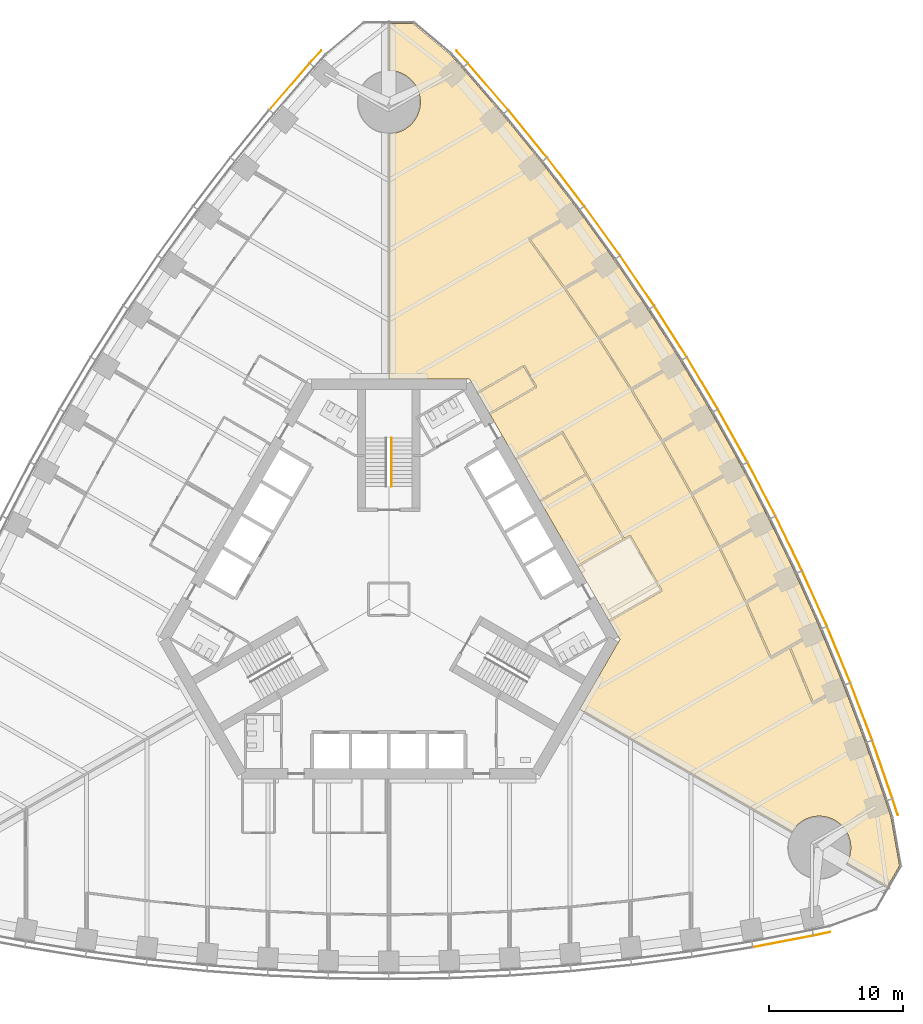
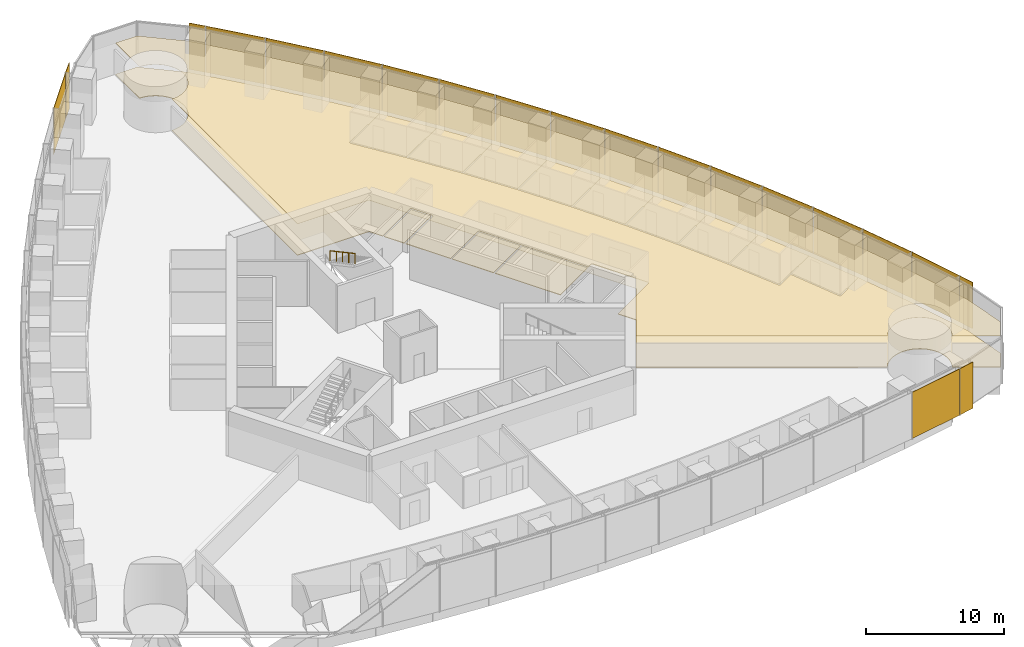
# One storey, part 17 of 19: 20 shading devices, 14 coverings, 1 railing.
"""IFC4 building model written with IfcOpenShell, lengths in metres."""

from ifc_helpers import new_model, si_unit, direction, frame, origin, origin_2d, place, context, subcontext, project, spatial, polyline, rectangle, circle, outline, extrude, material, layer, layer_set, type_object, element, save


model = new_model("IFC4")

# Units and contexts
model_context = context("Model", 3, precision=1e-05, world=origin(), true_north=direction((0.0, 1.0)))
body_context = subcontext(model_context, "Body", "Model", "MODEL_VIEW")
ifc_project = project(units=[si_unit("LENGTHUNIT", "METRE"), si_unit("AREAUNIT", "SQUARE_METRE"), si_unit("VOLUMEUNIT", "CUBIC_METRE"), si_unit("PLANEANGLEUNIT", "RADIAN"), si_unit("MASSUNIT", "GRAM", prefix="KILO")], contexts=[model_context])

# Site, building, storey
site_placement = place(None, origin())
site = spatial("IfcSite", under=ifc_project, at=site_placement, CompositionType="ELEMENT")
building_placement = place(site_placement, origin())
building = spatial("IfcBuilding", under=site, at=building_placement, Name="Trefoil Bronze Tower", CompositionType="ELEMENT")
storey_placement = place(building_placement, frame((0.0, 0.0, 16.5)))
storey = spatial("IfcBuildingStorey", under=building, at=storey_placement, Name="L03", CompositionType="ELEMENT", Elevation=16.5)

# Shading devices
ifc_material_1 = material(Name="Perforated bronze sheet", Category="bronze")
ifc_layer_1 = layer(ifc_material_1, 0.0400390625)
ifc_layer_set_1 = layer_set([ifc_layer_1], Name="Bronze solar screen panel")
shading_device_type = type_object("IfcShadingDeviceType", Name="Bronze solar screen panel", PredefinedType="SHUTTER", material=ifc_layer_set_1)
shading_device_1_placement = place(storey_placement, frame((29.351806640625, -25.478515625, 0.050048828125), z_axis=(0.0, 0.0, 1.0), x_axis=(0.982049823817, 0.188621694249, 0.0)))
element("IfcShadingDevice", 1, at=shading_device_1_placement, inside=storey, type_object=shading_device_type, Name="Solar screen CW-A L03 F1 bay 15", PredefinedType="SHUTTER", context=body_context, shape_type="SweptSolid", body=[
    extrude(rectangle(XDim=4.55224609375, YDim=0.0400390625, at=origin_2d()), origin(), (0.0, 0.0, 1.0), 4.10009765625),
])
for number, where, z_axis, x_axis, name in (
    (2, (32.2431640625, -24.91064453125, 0.050048828125), (0.0, 0.0, 1.0), (0.978302717041, 0.207180582657, 0.0), "Solar screen CW-A L03 F1 bay 16"),
    (3, (37.69482421875, -15.468017578125, 0.050048828125), (0.0, 0.0, 1.0), (-0.309727710769, 0.950825296877, 0.0), "Solar screen CW-A L03 F2 bay 1"),
):
    element("IfcShadingDevice", number, at=place(storey_placement, frame(where, z_axis=z_axis, x_axis=x_axis)), inside=storey, type_object=shading_device_type, Name=name, PredefinedType="SHUTTER", context=body_context, shape_type="SweptSolid", body=[
        extrude(rectangle(XDim=1.260498046875, YDim=0.0400390625, at=origin_2d()), origin(), (0.0, 0.0, 1.0), 4.10009765625),
    ])
shading_device_2_placement = place(storey_placement, frame((36.740966796875, -12.68017578125, 0.050048828125), z_axis=(0.0, 0.0, 1.0), x_axis=(-0.327673732984, 0.944790942332, 0.0)))
element("IfcShadingDevice", 4, at=shading_device_2_placement, inside=storey, type_object=shading_device_type, Name="Solar screen CW-A L03 F2 bay 2", PredefinedType="SHUTTER", context=body_context, shape_type="SweptSolid", body=[
    extrude(rectangle(XDim=4.55224609375, YDim=0.0400390625, at=origin_2d()), origin(), (0.0, 0.0, 1.0), 4.10009765625),
])
shading_device_3_placement = place(storey_placement, frame((35.1748046875, -8.3701171875, 0.050048828125), z_axis=(0.0, 0.0, 1.0), x_axis=(-0.355370585687, 0.934725492767, 0.0)))
element("IfcShadingDevice", 5, at=shading_device_3_placement, inside=storey, type_object=shading_device_type, Name="Solar screen CW-A L03 F2 bay 3", PredefinedType="SHUTTER", context=body_context, shape_type="SweptSolid", body=[
    extrude(rectangle(XDim=4.5283203125, YDim=0.0400390625, at=origin_2d()), origin(), (0.0, 0.0, 1.0), 4.10009765625),
])
shading_device_4_placement = place(storey_placement, frame((33.49072265625, -4.128173828125, 0.050048828125), z_axis=(0.0, 0.0, 1.0), x_axis=(-0.382629580712, 0.923901836758, 0.0)))
element("IfcShadingDevice", 6, at=shading_device_4_placement, inside=storey, type_object=shading_device_type, Name="Solar screen CW-A L03 F2 bay 4", PredefinedType="SHUTTER", context=body_context, shape_type="SweptSolid", body=[
    extrude(rectangle(XDim=4.5087890625, YDim=0.0400390625, at=origin_2d()), origin(), (0.0, 0.0, 1.0), 4.10009765625),
])
shading_device_5_placement = place(storey_placement, frame((31.68994140625, 0.04638671875, 0.050048828125), z_axis=(0.0, 0.0, 1.0), x_axis=(-0.40945635808, 0.912329705111, 0.0)))
element("IfcShadingDevice", 7, at=shading_device_5_placement, inside=storey, type_object=shading_device_type, Name="Solar screen CW-A L03 F2 bay 5", PredefinedType="SHUTTER", context=body_context, shape_type="SweptSolid", body=[
    extrude(rectangle(XDim=4.493408203125, YDim=0.0400390625, at=origin_2d()), origin(), (0.0, 0.0, 1.0), 4.10009765625),
])
shading_device_6_placement = place(storey_placement, frame((29.77392578125, 4.154541015625, 0.050048828125), z_axis=(0.0, 0.0, 1.0), x_axis=(-0.4358553457, 0.900016731858, 0.0)))
element("IfcShadingDevice", 8, at=shading_device_6_placement, inside=storey, type_object=shading_device_type, Name="Solar screen CW-A L03 F2 bay 6", PredefinedType="SHUTTER", context=body_context, shape_type="SweptSolid", body=[
    extrude(rectangle(XDim=4.48193359375, YDim=0.0400390625, at=origin_2d()), origin(), (0.0, 0.0, 1.0), 4.10009765625),
])
shading_device_7_placement = place(storey_placement, frame((27.74365234375, 8.1962890625, 0.050048828125), z_axis=(0.0, 0.0, 1.0), x_axis=(-0.46182981834, 0.886968555752, 0.0)))
element("IfcShadingDevice", 9, at=shading_device_7_placement, inside=storey, type_object=shading_device_type, Name="Solar screen CW-A L03 F2 bay 7", PredefinedType="SHUTTER", context=body_context, shape_type="SweptSolid", body=[
    extrude(rectangle(XDim=4.474365234375, YDim=0.0400390625, at=origin_2d()), origin(), (0.0, 0.0, 1.0), 4.10009765625),
])
for number, where, z_axis, x_axis, name in (
    (10, (25.599365234375, 12.172607421875, 0.050048828125), (0.0, 0.0, 1.0), (-0.487381940453, 0.873188893722, 0.0), "Solar screen CW-A L03 F2 bay 8"),
    (11, (23.341552734375, 16.083251953125, 0.050048828125), (0.0, 0.0, 1.0), (-0.51251279404, 0.858679588639, 0.0), "Solar screen CW-A L03 F2 bay 9"),
):
    element("IfcShadingDevice", number, at=place(storey_placement, frame(where, z_axis=z_axis, x_axis=x_axis)), inside=storey, type_object=shading_device_type, Name=name, PredefinedType="SHUTTER", context=body_context, shape_type="SweptSolid", body=[
        extrude(rectangle(XDim=4.470458984375, YDim=0.0400390625, at=origin_2d()), origin(), (0.0, 0.0, 1.0), 4.10009765625),
    ])
shading_device_8_placement = place(storey_placement, frame((20.97021484375, 19.928466796875, 0.050048828125), z_axis=(0.0, 0.0, 1.0), x_axis=(-0.537222392469, 0.843440632783, 0.0)))
element("IfcShadingDevice", 12, at=shading_device_8_placement, inside=storey, type_object=shading_device_type, Name="Solar screen CW-A L03 F2 bay 10", PredefinedType="SHUTTER", context=body_context, shape_type="SweptSolid", body=[
    extrude(rectangle(XDim=4.474365234375, YDim=0.0400390625, at=origin_2d()), origin(), (0.0, 0.0, 1.0), 4.10009765625),
])
shading_device_9_placement = place(storey_placement, frame((18.48486328125, 23.707763671875, 0.050048828125), z_axis=(0.0, 0.0, 1.0), x_axis=(-0.56150968077, 0.827470167681, 0.0)))
element("IfcShadingDevice", 13, at=shading_device_9_placement, inside=storey, type_object=shading_device_type, Name="Solar screen CW-A L03 F2 bay 11", PredefinedType="SHUTTER", context=body_context, shape_type="SweptSolid", body=[
    extrude(rectangle(XDim=4.48193359375, YDim=0.0400390625, at=origin_2d()), origin(), (0.0, 0.0, 1.0), 4.10009765625),
])
shading_device_10_placement = place(storey_placement, frame((15.88525390625, 27.421142578125, 0.050048828125), z_axis=(0.0, 0.0, 1.0), x_axis=(-0.585372522213, 0.810764460394, 0.0)))
element("IfcShadingDevice", 14, at=shading_device_10_placement, inside=storey, type_object=shading_device_type, Name="Solar screen CW-A L03 F2 bay 12", PredefinedType="SHUTTER", context=body_context, shape_type="SweptSolid", body=[
    extrude(rectangle(XDim=4.493408203125, YDim=0.0400390625, at=origin_2d()), origin(), (0.0, 0.0, 1.0), 4.10009765625),
])
shading_device_11_placement = place(storey_placement, frame((13.170166015625, 31.06787109375, 0.050048828125), z_axis=(0.0, 0.0, 1.0), x_axis=(-0.608807670879, 0.793317855515, 0.0)))
element("IfcShadingDevice", 15, at=shading_device_11_placement, inside=storey, type_object=shading_device_type, Name="Solar screen CW-A L03 F2 bay 13", PredefinedType="SHUTTER", context=body_context, shape_type="SweptSolid", body=[
    extrude(rectangle(XDim=4.5087890625, YDim=0.0400390625, at=origin_2d()), origin(), (0.0, 0.0, 1.0), 4.10009765625),
])
shading_device_12_placement = place(storey_placement, frame((10.338623046875, 34.6474609375, 0.050048828125), z_axis=(0.0, 0.0, 1.0), x_axis=(-0.631810729457, 0.775122701346, 0.0)))
element("IfcShadingDevice", 16, at=shading_device_12_placement, inside=storey, type_object=shading_device_type, Name="Solar screen CW-A L03 F2 bay 14", PredefinedType="SHUTTER", context=body_context, shape_type="SweptSolid", body=[
    extrude(rectangle(XDim=4.5283203125, YDim=0.0400390625, at=origin_2d()), origin(), (0.0, 0.0, 1.0), 4.10009765625),
])
shading_device_13_placement = place(storey_placement, frame((7.38916015625, 38.15869140625, 0.050048828125), z_axis=(0.0, 0.0, 1.0), x_axis=(-0.654376090833, 0.756169248083, 0.0)))
element("IfcShadingDevice", 17, at=shading_device_13_placement, inside=storey, type_object=shading_device_type, Name="Solar screen CW-A L03 F2 bay 15", PredefinedType="SHUTTER", context=body_context, shape_type="SweptSolid", body=[
    extrude(rectangle(XDim=4.55224609375, YDim=0.0400390625, at=origin_2d()), origin(), (0.0, 0.0, 1.0), 4.10009765625),
])
for number, where, z_axis, x_axis, name in (
    (18, (5.45166015625, 40.378662109375, 0.050048828125), (0.0, 0.0, 1.0), (-0.668575006272, 0.743644714221, 0.0), "Solar screen CW-A L03 F2 bay 16"),
    (19, (-5.45166015625, 40.378662109375, 0.050048828125), (0.0, 0.0, 1.0), (-0.668575006272, -0.743644714221, 0.0), "Solar screen CW-A L03 F3 bay 1"),
):
    element("IfcShadingDevice", number, at=place(storey_placement, frame(where, z_axis=z_axis, x_axis=x_axis)), inside=storey, type_object=shading_device_type, Name=name, PredefinedType="SHUTTER", context=body_context, shape_type="SweptSolid", body=[
        extrude(rectangle(XDim=1.260498046875, YDim=0.0400390625, at=origin_2d()), origin(), (0.0, 0.0, 1.0), 4.10009765625),
    ])
shading_device_14_placement = place(storey_placement, frame((-7.38916015625, 38.15869140625, 0.050048828125), z_axis=(0.0, 0.0, 1.0), x_axis=(-0.654376090833, -0.756169248083, 0.0)))
element("IfcShadingDevice", 20, at=shading_device_14_placement, inside=storey, type_object=shading_device_type, Name="Solar screen CW-A L03 F3 bay 2", PredefinedType="SHUTTER", context=body_context, shape_type="SweptSolid", body=[
    extrude(rectangle(XDim=4.55224609375, YDim=0.0400390625, at=origin_2d()), origin(), (0.0, 0.0, 1.0), 4.10009765625),
])

# Railing
ifc_material_2 = material(Name="Steel handrail", Category="steel")
railing_type = type_object("IfcRailingType", Name="Handrail 900", PredefinedType="HANDRAIL", material=ifc_material_2)
railing_placement = place(storey_placement, frame((0.199951171875, 11.989990234375, 2.261474609375)))
element("IfcRailing", 21, at=railing_placement, inside=storey, type_object=railing_type, Name="Handrail ST2 flight 2 L03", PredefinedType="HANDRAIL", context=body_context, shape_type="SweptSolid", body=[
    extrude(circle(Radius=0.02392578125, at=origin_2d()), frame((0.0, 0.0, 0.8759765625), z_axis=(0.0, -0.880474934443, 0.474092701714), x_axis=(1.0, 0.0, 0.0)), (0.0, 0.0, 1.0), 4.0888671875),
    extrude(circle(Radius=0.02099609375, at=origin_2d()), origin(), (0.0, 0.0, 1.0), 0.851806640625),
    extrude(circle(Radius=0.02099609375, at=origin_2d()), frame((0.0, -0.89990234375, 0.484619140625)), (0.0, 0.0, 1.0), 0.851806640625),
    extrude(circle(Radius=0.02099609375, at=origin_2d()), frame((0.0, -1.800048828125, 0.96923828125)), (0.0, 0.0, 1.0), 0.851806640625),
    extrude(circle(Radius=0.02099609375, at=origin_2d()), frame((0.0, -2.7001953125, 1.453857421875)), (0.0, 0.0, 1.0), 0.851806640625),
    extrude(circle(Radius=0.02099609375, at=origin_2d()), frame((0.0, -3.60009765625, 1.9384765625)), (0.0, 0.0, 1.0), 0.851806640625),
])

# Coverings
ifc_material_3 = material(Name="Acoustic ceiling panels", Category="mineral fibre")
ifc_layer_2 = layer(ifc_material_3, 0.02001953125)
ifc_layer_set_2 = layer_set([ifc_layer_2], Name="Office ceiling 20")
covering_type_1 = type_object("IfcCoveringType", Name="Office ceiling 20", PredefinedType="CEILING", material=ifc_layer_set_2)
covering_1_placement = place(storey_placement, frame((0.0, 0.0, 2.89990234375)))
element("IfcCovering", 22, at=covering_1_placement, inside=storey, type_object=covering_type_1, Name="Ceiling L03 Open-plan office F2", PredefinedType="CEILING", context=body_context, shape_type="SweptSolid", body=[
    extrude(outline(polyline([(5.4814453125, 39.537841796875), (8.47998046875, 36.072998046875), (11.360107421875, 32.53955078125), (14.123291015625, 28.938720703125), (16.771240234375, 25.271484375), (19.3046875, 21.537841796875), (21.724609375, 17.73876953125), (24.031005859375, 13.87451171875), (26.224609375, 9.944580078125), (28.3046875, 5.949462890625), (30.271240234375, 1.888671875), (32.123291015625, -2.23828125), (33.860107421875, -6.431640625), (35.47998046875, -10.6923828125), (36.9814453125, -15.021728515625), (37.381103515625, -16.248779296875), (38.0146484375, -19.841552734375), (37.110595703125, -21.4072265625), (34.084716796875, -19.661865234375), (34.115478515625, -19.60791015625), (34.167236328125, -19.5048828125), (34.214111328125, -19.3994140625), (34.255615234375, -19.291748046875), (34.291748046875, -19.18212890625), (34.322509765625, -19.071044921875), (34.347900390625, -18.95849609375), (34.367431640625, -18.8447265625), (34.381591796875, -18.730224609375), (34.39013671875, -18.615234375), (34.392822265625, -18.5), (34.39013671875, -18.384765625), (34.381591796875, -18.269775390625), (34.367431640625, -18.1552734375), (34.347900390625, -18.04150390625), (34.322509765625, -17.928955078125), (34.291748046875, -17.81787109375), (34.255615234375, -17.708251953125), (34.214111328125, -17.6005859375), (34.167236328125, -17.4951171875), (34.115478515625, -17.39208984375), (34.05859375, -17.2919921875), (33.996826171875, -17.1943359375), (33.930419921875, -17.10009765625), (33.859619140625, -17.00927734375), (33.7841796875, -16.921875), (33.70458984375, -16.83837890625), (33.62109375, -16.7587890625), (33.53369140625, -16.683349609375), (33.44287109375, -16.612548828125), (33.348388671875, -16.5458984375), (33.251220703125, -16.484375), (33.150634765625, -16.427490234375), (33.047607421875, -16.37548828125), (32.942138671875, -16.328857421875), (32.834716796875, -16.287353515625), (32.72509765625, -16.251220703125), (32.614013671875, -16.220458984375), (32.50146484375, -16.1953125), (32.3876953125, -16.17529296875), (32.273193359375, -16.161376953125), (32.158203125, -16.15283203125), (32.04296875, -16.14990234375), (31.927490234375, -16.15283203125), (31.8125, -16.161376953125), (31.697998046875, -16.17529296875), (31.58447265625, -16.1953125), (31.471923828125, -16.220458984375), (31.36083984375, -16.251220703125), (31.251220703125, -16.287353515625), (31.1435546875, -16.328857421875), (31.0380859375, -16.37548828125), (30.935302734375, -16.427490234375), (30.834716796875, -16.484375), (30.7373046875, -16.5458984375), (30.64306640625, -16.612548828125), (30.552001953125, -16.683349609375), (30.46484375, -16.7587890625), (30.381103515625, -16.83837890625), (30.3017578125, -16.921875), (30.226318359375, -17.00927734375), (30.155517578125, -17.10009765625), (30.089111328125, -17.1943359375), (30.02734375, -17.2919921875), (30.0146484375, -17.31396484375), (14.205810546875, -8.194580078125), (17.205078125, -3.0), (6.00439453125, 16.39990234375), (0.006103515625, 16.39990234375), (0.012939453125, 34.650390625), (0.115234375, 34.65283203125), (0.230224609375, 34.661376953125), (0.3447265625, 34.67529296875), (0.45849609375, 34.6953125), (0.571044921875, 34.720458984375), (0.68212890625, 34.751220703125), (0.791748046875, 34.787353515625), (0.8994140625, 34.828857421875), (1.0048828125, 34.87548828125), (1.10791015625, 34.927490234375), (1.2080078125, 34.984375), (1.3056640625, 35.0458984375), (1.39990234375, 35.112548828125), (1.49072265625, 35.183349609375), (1.578125, 35.2587890625), (1.66162109375, 35.33837890625), (1.7412109375, 35.421875), (1.816650390625, 35.50927734375), (1.887451171875, 35.60009765625), (1.9541015625, 35.6943359375), (2.015625, 35.7919921875), (2.072509765625, 35.89208984375), (2.12451171875, 35.9951171875), (2.171142578125, 36.1005859375), (2.212646484375, 36.208251953125), (2.248779296875, 36.31787109375), (2.279541015625, 36.428955078125), (2.3046875, 36.54150390625), (2.32470703125, 36.6552734375), (2.338623046875, 36.769775390625), (2.34716796875, 36.884765625), (2.35009765625, 37.0), (2.34716796875, 37.115234375), (2.338623046875, 37.230224609375), (2.32470703125, 37.3447265625), (2.3046875, 37.45849609375), (2.279541015625, 37.571044921875), (2.248779296875, 37.68212890625), (2.212646484375, 37.791748046875), (2.171142578125, 37.8994140625), (2.12451171875, 38.0048828125), (2.072509765625, 38.10791015625), (2.015625, 38.2080078125), (1.9541015625, 38.3056640625), (1.887451171875, 38.39990234375), (1.816650390625, 38.49072265625), (1.7412109375, 38.578125), (1.66162109375, 38.66162109375), (1.578125, 38.7412109375), (1.49072265625, 38.816650390625), (1.39990234375, 38.887451171875), (1.3056640625, 38.9541015625), (1.2080078125, 39.015625), (1.10791015625, 39.072509765625), (1.0048828125, 39.12451171875), (0.8994140625, 39.171142578125), (0.791748046875, 39.212646484375), (0.68212890625, 39.248779296875), (0.571044921875, 39.279541015625), (0.45849609375, 39.3046875), (0.3447265625, 39.32470703125), (0.230224609375, 39.338623046875), (0.115234375, 39.34716796875), (0.014892578125, 39.349609375), (0.01611328125, 42.84228515625), (1.82421875, 42.84228515625), (4.618896484375, 40.497314453125), (5.4814453125, 39.537841796875)])), origin(), (0.0, 0.0, 1.0), 0.02001953125),
])
ifc_material_4 = material(Name="Raised access floor panels", Category="steel")
ifc_layer_3 = layer(ifc_material_4, 0.050048828125)
ifc_layer_set_3 = layer_set([ifc_layer_3], Name="Raised access floor 150")
covering_type_2 = type_object("IfcCoveringType", Name="Raised access floor 150", PredefinedType="FLOORING", material=ifc_layer_set_3)
covering_2_placement = place(storey_placement, frame((0.0, 0.0, 0.10009765625)))
element("IfcCovering", 23, at=covering_2_placement, inside=storey, type_object=covering_type_2, Name="Raised floor L03 Meeting room F2", PredefinedType="FLOORING", context=body_context, shape_type="SweptSolid", body=[
    extrude(outline(polyline([(11.28466796875, 7.25439453125), (14.697021484375, 9.224365234375), (17.43701171875, 4.478515625), (14.024658203125, 2.50830078125), (11.28466796875, 7.25439453125)])), origin(), (0.0, 0.0, 1.0), 0.0498046875),
])
covering_3_placement = place(storey_placement, frame((0.0, 0.0, 0.10009765625)))
element("IfcCovering", 24, at=covering_3_placement, inside=storey, type_object=covering_type_2, Name="Raised floor L03 Meeting room F2", PredefinedType="FLOORING", context=body_context, shape_type="SweptSolid", body=[
    extrude(outline(polyline([(9.484619140625, 10.371826171875), (12.89697265625, 12.341796875), (14.636962890625, 9.328125), (11.224609375, 7.358154296875), (9.484619140625, 10.371826171875)])), origin(), (0.0, 0.0, 1.0), 0.0498046875),
])
covering_4_placement = place(storey_placement, frame((0.0, 0.0, 0.10009765625)))
element("IfcCovering", 25, at=covering_4_placement, inside=storey, type_object=covering_type_2, Name="Raised floor L03 Phone room F2", PredefinedType="FLOORING", context=body_context, shape_type="SweptSolid", body=[
    extrude(outline(polyline([(6.634765625, 15.308349609375), (10.046875, 17.2783203125), (10.886962890625, 15.823486328125), (7.474609375, 13.853515625), (6.634765625, 15.308349609375)])), origin(), (0.0, 0.0, 1.0), 0.0498046875),
])
covering_5_placement = place(storey_placement, frame((0.0, 0.0, 0.10009765625)))
element("IfcCovering", 26, at=covering_5_placement, inside=storey, type_object=covering_type_2, Name="Raised floor L03 Office F2", PredefinedType="FLOORING", context=body_context, shape_type="SweptSolid", body=[
    extrude(outline(polyline([(16.771240234375, 25.271484375), (15.397705078125, 24.478515625), (15.367919921875, 24.5302734375), (13.107666015625, 23.225341796875), (10.5302734375, 26.794921875), (12.77587890625, 28.091552734375), (12.745849609375, 28.143310546875), (14.123291015625, 28.938720703125), (16.771240234375, 25.271484375)])), origin(), (0.0, 0.0, 1.0), 0.0498046875),
])
covering_6_placement = place(storey_placement, frame((0.0, 0.0, 0.10009765625)))
element("IfcCovering", 27, at=covering_6_placement, inside=storey, type_object=covering_type_2, Name="Raised floor L03 Office F2", PredefinedType="FLOORING", context=body_context, shape_type="SweptSolid", body=[
    extrude(outline(polyline([(16.771240234375, 25.271484375), (19.3046875, 21.537841796875), (17.93408203125, 20.74658203125), (17.904052734375, 20.798583984375), (15.642578125, 19.492919921875), (13.176513671875, 23.126708984375), (15.427734375, 24.426513671875), (15.397705078125, 24.478515625), (16.771240234375, 25.271484375)])), origin(), (0.0, 0.0, 1.0), 0.0498046875),
])
covering_7_placement = place(storey_placement, frame((0.0, 0.0, 0.10009765625)))
element("IfcCovering", 28, at=covering_7_placement, inside=storey, type_object=covering_type_2, Name="Raised floor L03 Office F2", PredefinedType="FLOORING", context=body_context, shape_type="SweptSolid", body=[
    extrude(outline(polyline([(21.724609375, 17.73876953125), (20.355712890625, 16.948486328125), (20.32568359375, 17.00048828125), (18.063720703125, 15.694580078125), (15.70849609375, 19.392333984375), (17.964111328125, 20.694580078125), (17.93408203125, 20.74658203125), (19.3046875, 21.537841796875), (21.724609375, 17.73876953125)])), origin(), (0.0, 0.0, 1.0), 0.0498046875),
])
covering_8_placement = place(storey_placement, frame((0.0, 0.0, 0.10009765625)))
element("IfcCovering", 29, at=covering_8_placement, inside=storey, type_object=covering_type_2, Name="Raised floor L03 Office F2", PredefinedType="FLOORING", context=body_context, shape_type="SweptSolid", body=[
    extrude(outline(polyline([(21.724609375, 17.73876953125), (24.031005859375, 13.87451171875), (22.662841796875, 13.08447265625), (22.6328125, 13.13623046875), (20.37158203125, 11.830810546875), (18.126708984375, 15.59228515625), (20.385498046875, 16.896484375), (20.355712890625, 16.948486328125), (21.724609375, 17.73876953125)])), origin(), (0.0, 0.0, 1.0), 0.0498046875),
])
covering_9_placement = place(storey_placement, frame((0.0, 0.0, 0.10009765625)))
element("IfcCovering", 30, at=covering_9_placement, inside=storey, type_object=covering_type_2, Name="Raised floor L03 Office F2", PredefinedType="FLOORING", context=body_context, shape_type="SweptSolid", body=[
    extrude(outline(polyline([(24.031005859375, 13.87451171875), (26.224609375, 9.944580078125), (24.855712890625, 9.154296875), (24.82568359375, 9.206298828125), (22.566650390625, 7.902099609375), (20.431640625, 11.72705078125), (22.69287109375, 13.032470703125), (22.662841796875, 13.08447265625), (24.031005859375, 13.87451171875)])), origin(), (0.0, 0.0, 1.0), 0.0498046875),
])
covering_10_placement = place(storey_placement, frame((0.0, 0.0, 0.10009765625)))
element("IfcCovering", 31, at=covering_10_placement, inside=storey, type_object=covering_type_2, Name="Raised floor L03 Office F2", PredefinedType="FLOORING", context=body_context, shape_type="SweptSolid", body=[
    extrude(outline(polyline([(26.224609375, 9.944580078125), (28.3046875, 5.949462890625), (26.93408203125, 5.158203125), (26.904052734375, 5.210205078125), (24.6484375, 3.90771484375), (22.623779296875, 7.79638671875), (24.885498046875, 9.102294921875), (24.855712890625, 9.154296875), (26.224609375, 9.944580078125)])), origin(), (0.0, 0.0, 1.0), 0.0498046875),
])
covering_11_placement = place(storey_placement, frame((0.0, 0.0, 0.10009765625)))
element("IfcCovering", 32, at=covering_11_placement, inside=storey, type_object=covering_type_2, Name="Raised floor L03 Office F2", PredefinedType="FLOORING", context=body_context, shape_type="SweptSolid", body=[
    extrude(outline(polyline([(28.3046875, 5.949462890625), (30.271240234375, 1.888671875), (28.897705078125, 1.095703125), (28.867919921875, 1.147705078125), (26.616455078125, -0.152099609375), (24.702392578125, 3.80029296875), (26.964111328125, 5.106201171875), (26.93408203125, 5.158203125), (28.3046875, 5.949462890625)])), origin(), (0.0, 0.0, 1.0), 0.0498046875),
])
covering_12_placement = place(storey_placement, frame((0.0, 0.0, 0.10009765625)))
element("IfcCovering", 33, at=covering_12_placement, inside=storey, type_object=covering_type_2, Name="Raised floor L03 Office F2", PredefinedType="FLOORING", context=body_context, shape_type="SweptSolid", body=[
    extrude(outline(polyline([(32.123291015625, -2.23828125), (30.745849609375, -3.033447265625), (30.7158203125, -2.9814453125), (28.47021484375, -4.278076171875), (26.66748046875, -0.26123046875), (28.927734375, 1.043701171875), (28.897705078125, 1.095703125), (30.271240234375, 1.888671875), (32.123291015625, -2.23828125)])), origin(), (0.0, 0.0, 1.0), 0.0498046875),
])
covering_13_placement = place(storey_placement, frame((0.0, 0.0, 0.10009765625)))
element("IfcCovering", 34, at=covering_13_placement, inside=storey, type_object=covering_type_2, Name="Raised floor L03 Comms room F2", PredefinedType="FLOORING", context=body_context, shape_type="SweptSolid", body=[
    extrude(outline(polyline([(32.123291015625, -2.23828125), (33.860107421875, -6.431640625), (32.477294921875, -7.22998046875), (32.447265625, -7.177978515625), (31.607421875, -7.662841796875), (29.9169921875, -3.581298828125), (30.77587890625, -3.08544921875), (30.745849609375, -3.033447265625), (32.123291015625, -2.23828125)])), origin(), (0.0, 0.0, 1.0), 0.0498046875),
])
covering_14_placement = place(storey_placement, frame((0.0, 0.0, 0.10009765625)))
element("IfcCovering", 35, at=covering_14_placement, inside=storey, type_object=covering_type_2, Name="Raised floor L03 Open-plan office F2", PredefinedType="FLOORING", context=body_context, shape_type="SweptSolid", body=[
    extrude(outline(polyline([(11.360107421875, 32.53955078125), (14.123291015625, 28.938720703125), (12.745849609375, 28.143310546875), (12.7158203125, 28.1953125), (10.412841796875, 26.86572265625), (10.44287109375, 26.813720703125), (10.394287109375, 26.778564453125), (13.04150390625, 23.11181640625), (15.573974609375, 19.3798828125), (17.992919921875, 15.582275390625), (20.298583984375, 11.719482421875), (22.4912109375, 7.791015625), (24.570556640625, 3.797607421875), (26.536376953125, -0.26171875), (28.38818359375, -4.3876953125), (28.44287109375, -4.36328125), (28.472900390625, -4.4150390625), (29.812255859375, -3.641845703125), (31.522705078125, -7.772216796875), (31.578125, -7.7490234375), (31.608154296875, -7.801025390625), (32.507080078125, -7.281982421875), (32.477294921875, -7.22998046875), (33.860107421875, -6.431640625), (35.47998046875, -10.6923828125), (36.9814453125, -15.021728515625), (37.381103515625, -16.248779296875), (38.0146484375, -19.841552734375), (37.110595703125, -21.4072265625), (34.084716796875, -19.661865234375), (34.115478515625, -19.60791015625), (34.167236328125, -19.5048828125), (34.214111328125, -19.3994140625), (34.255615234375, -19.291748046875), (34.291748046875, -19.18212890625), (34.322509765625, -19.071044921875), (34.347900390625, -18.95849609375), (34.367431640625, -18.8447265625), (34.381591796875, -18.730224609375), (34.39013671875, -18.615234375), (34.392822265625, -18.5), (34.39013671875, -18.384765625), (34.381591796875, -18.269775390625), (34.367431640625, -18.1552734375), (34.347900390625, -18.04150390625), (34.322509765625, -17.928955078125), (34.291748046875, -17.81787109375), (34.255615234375, -17.708251953125), (34.214111328125, -17.6005859375), (34.167236328125, -17.4951171875), (34.115478515625, -17.39208984375), (34.05859375, -17.2919921875), (33.996826171875, -17.1943359375), (33.930419921875, -17.10009765625), (33.859619140625, -17.00927734375), (33.7841796875, -16.921875), (33.70458984375, -16.83837890625), (33.62109375, -16.7587890625), (33.53369140625, -16.683349609375), (33.44287109375, -16.612548828125), (33.348388671875, -16.5458984375), (33.251220703125, -16.484375), (33.150634765625, -16.427490234375), (33.047607421875, -16.37548828125), (32.942138671875, -16.328857421875), (32.834716796875, -16.287353515625), (32.72509765625, -16.251220703125), (32.614013671875, -16.220458984375), (32.50146484375, -16.1953125), (32.3876953125, -16.17529296875), (32.273193359375, -16.161376953125), (32.158203125, -16.15283203125), (32.04296875, -16.14990234375), (31.927490234375, -16.15283203125), (31.8125, -16.161376953125), (31.697998046875, -16.17529296875), (31.58447265625, -16.1953125), (31.471923828125, -16.220458984375), (31.36083984375, -16.251220703125), (31.251220703125, -16.287353515625), (31.1435546875, -16.328857421875), (31.0380859375, -16.37548828125), (30.935302734375, -16.427490234375), (30.834716796875, -16.484375), (30.7373046875, -16.5458984375), (30.64306640625, -16.612548828125), (30.552001953125, -16.683349609375), (30.46484375, -16.7587890625), (30.381103515625, -16.83837890625), (30.3017578125, -16.921875), (30.226318359375, -17.00927734375), (30.155517578125, -17.10009765625), (30.089111328125, -17.1943359375), (30.02734375, -17.2919921875), (30.0146484375, -17.31396484375), (14.205810546875, -8.194580078125), (17.205078125, -3.0), (16.434814453125, -1.665771484375), (20.331787109375, 0.584228515625), (20.302001953125, 0.63623046875), (20.353759765625, 0.666259765625), (18.00390625, 4.736572265625), (17.951904296875, 4.70654296875), (17.921875, 4.75830078125), (17.540771484375, 4.538330078125), (12.970703125, 12.453857421875), (12.918701171875, 12.423828125), (12.888916015625, 12.475830078125), (9.4248046875, 10.475830078125), (7.53466796875, 13.74951171875), (10.998779296875, 15.74951171875), (10.96875, 15.801513671875), (11.020751953125, 15.831298828125), (10.120849609375, 17.390380859375), (10.06884765625, 17.3603515625), (10.038818359375, 17.412109375), (6.57470703125, 15.412109375), (6.00439453125, 16.39990234375), (0.006103515625, 16.39990234375), (0.012939453125, 34.650390625), (0.115234375, 34.65283203125), (0.230224609375, 34.661376953125), (0.3447265625, 34.67529296875), (0.45849609375, 34.6953125), (0.571044921875, 34.720458984375), (0.68212890625, 34.751220703125), (0.791748046875, 34.787353515625), (0.8994140625, 34.828857421875), (1.0048828125, 34.87548828125), (1.10791015625, 34.927490234375), (1.2080078125, 34.984375), (1.3056640625, 35.0458984375), (1.39990234375, 35.112548828125), (1.49072265625, 35.183349609375), (1.578125, 35.2587890625), (1.66162109375, 35.33837890625), (1.7412109375, 35.421875), (1.816650390625, 35.50927734375), (1.887451171875, 35.60009765625), (1.9541015625, 35.6943359375), (2.015625, 35.7919921875), (2.072509765625, 35.89208984375), (2.12451171875, 35.9951171875), (2.171142578125, 36.1005859375), (2.212646484375, 36.208251953125), (2.248779296875, 36.31787109375), (2.279541015625, 36.428955078125), (2.3046875, 36.54150390625), (2.32470703125, 36.6552734375), (2.338623046875, 36.769775390625), (2.34716796875, 36.884765625), (2.35009765625, 37.0), (2.34716796875, 37.115234375), (2.338623046875, 37.230224609375), (2.32470703125, 37.3447265625), (2.3046875, 37.45849609375), (2.279541015625, 37.571044921875), (2.248779296875, 37.68212890625), (2.212646484375, 37.791748046875), (2.171142578125, 37.8994140625), (2.12451171875, 38.0048828125), (2.072509765625, 38.10791015625), (2.015625, 38.2080078125), (1.9541015625, 38.3056640625), (1.887451171875, 38.39990234375), (1.816650390625, 38.49072265625), (1.7412109375, 38.578125), (1.66162109375, 38.66162109375), (1.578125, 38.7412109375), (1.49072265625, 38.816650390625), (1.39990234375, 38.887451171875), (1.3056640625, 38.9541015625), (1.2080078125, 39.015625), (1.10791015625, 39.072509765625), (1.0048828125, 39.12451171875), (0.8994140625, 39.171142578125), (0.791748046875, 39.212646484375), (0.68212890625, 39.248779296875), (0.571044921875, 39.279541015625), (0.45849609375, 39.3046875), (0.3447265625, 39.32470703125), (0.230224609375, 39.338623046875), (0.115234375, 39.34716796875), (0.014892578125, 39.349609375), (0.01611328125, 42.84228515625), (1.82421875, 42.84228515625), (4.618896484375, 40.497314453125), (5.4814453125, 39.537841796875), (8.47998046875, 36.072998046875), (11.360107421875, 32.53955078125)])), origin(), (0.0, 0.0, 1.0), 0.0498046875),
])

save(model, "model.ifc")
